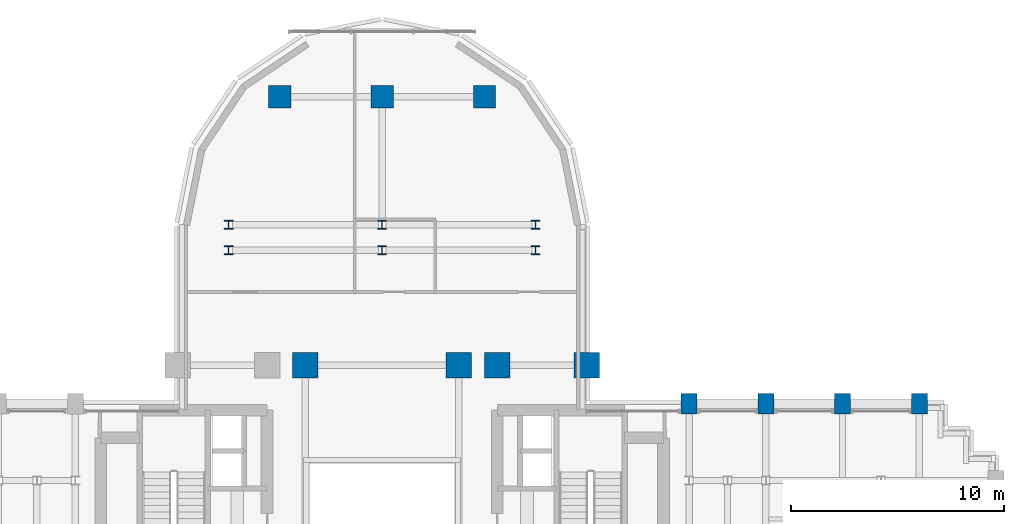
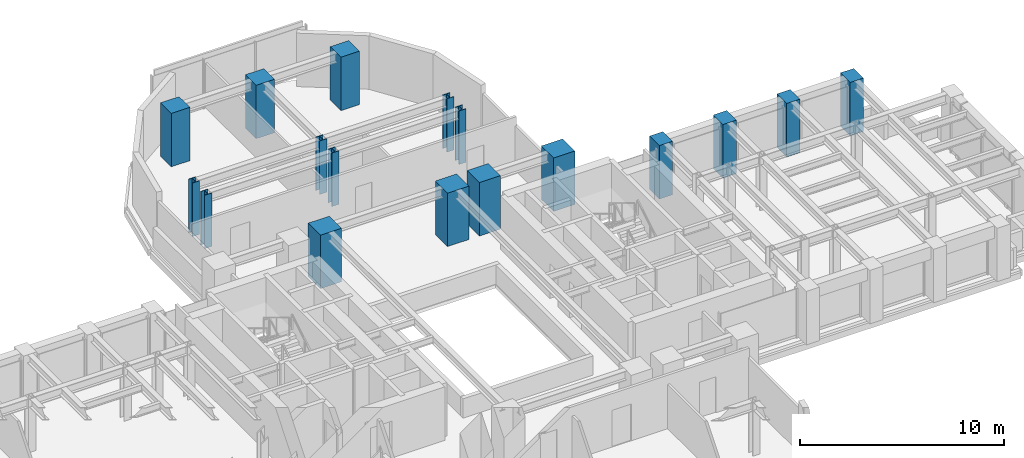
# One storey, part 2 of 16: 17 columns.
"""IFC4 building model written with IfcOpenShell, lengths in metres."""

from ifc_helpers import new_model, si_unit, direction, frame, origin, origin_2d, place, context, subcontext, project, spatial, rectangle, i_section, extrude, source, transform, mapped, material, material_profile, profile_set, type_object, element, save


model = new_model("IFC4")

# Units and contexts
model_context = context("Model", 3, precision=1e-05, world=origin(), true_north=direction((0.0, 1.0)))
body_context = subcontext(model_context, "Body", "Model", "MODEL_VIEW")
ifc_project = project(units=[si_unit("LENGTHUNIT", "METRE"), si_unit("AREAUNIT", "SQUARE_METRE"), si_unit("VOLUMEUNIT", "CUBIC_METRE"), si_unit("PLANEANGLEUNIT", "RADIAN"), si_unit("MASSUNIT", "GRAM", prefix="KILO")], contexts=[model_context])

# Site, building, storey
site_placement = place(None, origin())
site = spatial("IfcSite", under=ifc_project, at=site_placement, CompositionType="ELEMENT")
building_placement = place(site_placement, origin())
building = spatial("IfcBuilding", under=site, at=building_placement, Name="Keilestroom Media Tower", CompositionType="ELEMENT")
storey_placement = place(building_placement, frame((0.0, 0.0, 78.199951171875)))
storey = spatial("IfcBuildingStorey", under=building, at=storey_placement, Name="L20", CompositionType="ELEMENT", Elevation=78.199951171875)

# Columns
ifc_material_1 = material(Name="Precast concrete C40/50", Category="concrete")
ifc_material_profile_1 = material_profile(ifc_material_1, rectangle(XDim=0.75, YDim=0.949951171875, at=origin_2d()), Name="PC 950x750")
ifc_profile_set_1 = profile_set([ifc_material_profile_1], Name="Precast concrete C40/50")
column_type_1 = type_object("IfcColumnType", Name="Structural-Column-PC-950x750", PredefinedType="COLUMN", material=ifc_profile_set_1)
shared_shape_1 = source(origin(), body_context, "Body", "SweptSolid", [
    extrude(rectangle(XDim=0.75, YDim=0.949951171875, at=origin_2d()), origin(), (0.0, 0.0, 1.0), 3.199951171875),
])
for number, where, z_axis, x_axis, name in (
    (1, (14.39990234375, 7.199951171875, 0.0), (0.0, 0.0, 1.0), (1.0, 0.0, 0.0), "L20 Column PC-1 (+14.4,+7.2)"),
    (2, (18.0, 7.199951171875, 0.0), (0.0, 0.0, 1.0), (1.0, 0.0, 0.0), "L20 Column PC-1 (+18.0,+7.2)"),
    (3, (21.60009765625, 7.199951171875, 0.0), (0.0, 0.0, 1.0), (1.0, 0.0, 0.0), "L20 Column PC-1 (+21.6,+7.2)"),
    (4, (25.199951171875, 7.199951171875, 0.0), (0.0, 0.0, 1.0), (1.0, 0.0, 0.0), "L20 Column PC-1 (+25.2,+7.2)"),
):
    element("IfcColumn", number, at=place(storey_placement, frame(where, z_axis=z_axis, x_axis=x_axis)), inside=storey, type_object=column_type_1, Name=name, PredefinedType="COLUMN", context=body_context, shape_type="MappedRepresentation", body=[
        mapped(shared_shape_1, transform((0.0, 0.0, 0.0), x_axis=(1.0, 0.0, 0.0), y_axis=(0.0, 1.0, 0.0), z_axis=(0.0, 0.0, 1.0), scale=1.0)),
    ])
ifc_material_2 = material(Name="Steel S460", Category="steel")
ifc_material_profile_2 = material_profile(ifc_material_2, i_section(OverallWidth=0.404052734375, OverallDepth=0.406982421875, WebThickness=0.02197265625, FlangeThickness=0.035400390625, at=origin_2d()), Name="HD 400x347")
ifc_profile_set_2 = profile_set([ifc_material_profile_2], Name="Steel S460")
column_type_2 = type_object("IfcColumnType", Name="Structural-Column-HD-400x347", PredefinedType="COLUMN", material=ifc_profile_set_2)
shared_shape_2 = source(origin(), body_context, "Body", "SweptSolid", [
    extrude(i_section(OverallWidth=0.404052734375, OverallDepth=0.406982421875, WebThickness=0.02197265625, FlangeThickness=0.035400390625, at=origin_2d()), origin(), (0.0, 0.0, 1.0), 3.199951171875),
])
for number, where, z_axis, x_axis, name in (
    (5, (-7.199951171875, 14.39990234375, 0.0), (0.0, 0.0, 1.0), (1.0, 0.0, 0.0), "L20 Column SC-2 (-7.2,+14.4)"),
    (6, (-7.199951171875, 15.60009765625, 0.0), (0.0, 0.0, 1.0), (1.0, 0.0, 0.0), "L20 Column SC-2 (-7.2,+15.6)"),
    (7, (0.0, 14.39990234375, 0.0), (0.0, 0.0, 1.0), (1.0, 0.0, 0.0), "L20 Column SC-2 (+0.0,+14.4)"),
    (8, (0.0, 15.60009765625, 0.0), (0.0, 0.0, 1.0), (1.0, 0.0, 0.0), "L20 Column SC-2 (+0.0,+15.6)"),
    (9, (7.199951171875, 14.39990234375, 0.0), (0.0, 0.0, 1.0), (1.0, 0.0, 0.0), "L20 Column SC-2 (+7.2,+14.4)"),
    (10, (7.199951171875, 15.60009765625, 0.0), (0.0, 0.0, 1.0), (1.0, 0.0, 0.0), "L20 Column SC-2 (+7.2,+15.6)"),
):
    element("IfcColumn", number, at=place(storey_placement, frame(where, z_axis=z_axis, x_axis=x_axis)), inside=storey, type_object=column_type_2, Name=name, PredefinedType="COLUMN", context=body_context, shape_type="MappedRepresentation", body=[
        mapped(shared_shape_2, transform((0.0, 0.0, 0.0), x_axis=(1.0, 0.0, 0.0), y_axis=(0.0, 1.0, 0.0), z_axis=(0.0, 0.0, 1.0), scale=1.0)),
    ])
ifc_material_3 = material(Name="Concrete C70/85", Category="concrete")
ifc_material_profile_3 = material_profile(ifc_material_3, rectangle(XDim=1.199951171875, YDim=1.199951171875, at=origin_2d()), Name="RC 1200x1200")
ifc_profile_set_3 = profile_set([ifc_material_profile_3], Name="Concrete C70/85")
column_type_3 = type_object("IfcColumnType", Name="Structural-Column-RC-1200x1200", PredefinedType="COLUMN", material=ifc_profile_set_3)
shared_shape_3 = source(origin(), body_context, "Body", "SweptSolid", [
    extrude(rectangle(XDim=1.199951171875, YDim=1.199951171875, at=origin_2d()), origin(), (0.0, 0.0, 1.0), 3.199951171875),
])
for number, where, z_axis, x_axis, name in (
    (11, (-3.60009765625, 9.0, 0.0), (0.0, 0.0, 1.0), (1.0, 0.0, 0.0), "L20 Column MC-2 (-3.6,+9.0)"),
    (12, (3.60009765625, 9.0, 0.0), (0.0, 0.0, 1.0), (1.0, 0.0, 0.0), "L20 Column MC-2 (+3.6,+9.0)"),
    (13, (5.39990234375, 9.0, 0.0), (0.0, 0.0, 1.0), (1.0, 0.0, 0.0), "L20 Column MC-2 (+5.4,+9.0)"),
    (14, (9.60009765625, 9.0, 0.0), (0.0, 0.0, 1.0), (1.0, 0.0, 0.0), "L20 Column MC-2 (+9.6,+9.0)"),
):
    element("IfcColumn", number, at=place(storey_placement, frame(where, z_axis=z_axis, x_axis=x_axis)), inside=storey, type_object=column_type_3, Name=name, PredefinedType="COLUMN", context=body_context, shape_type="MappedRepresentation", body=[
        mapped(shared_shape_3, transform((0.0, 0.0, 0.0), x_axis=(1.0, 0.0, 0.0), y_axis=(0.0, 1.0, 0.0), z_axis=(0.0, 0.0, 1.0), scale=1.0)),
    ])
ifc_material_4 = material(Name="Concrete C55/67", Category="concrete")
ifc_material_profile_4 = material_profile(ifc_material_4, rectangle(XDim=1.050048828125, YDim=1.050048828125, at=origin_2d()), Name="RC 1050x1050")
ifc_profile_set_4 = profile_set([ifc_material_profile_4], Name="Concrete C55/67")
column_type_4 = type_object("IfcColumnType", Name="Structural-Column-RC-1050x1050", PredefinedType="COLUMN", material=ifc_profile_set_4)
shared_shape_4 = source(origin(), body_context, "Body", "SweptSolid", [
    extrude(rectangle(XDim=1.050048828125, YDim=1.050048828125, at=origin_2d()), origin(), (0.0, 0.0, 1.0), 3.199951171875),
])
for number, where, z_axis, x_axis, name in (
    (15, (-4.800048828125, 21.60009765625, 0.0), (0.0, 0.0, 1.0), (1.0, 0.0, 0.0), "L20 Column MC-3 (-4.8,+21.6)"),
    (16, (0.0, 21.60009765625, 0.0), (0.0, 0.0, 1.0), (1.0, 0.0, 0.0), "L20 Column MC-3 (+0.0,+21.6)"),
    (17, (4.800048828125, 21.60009765625, 0.0), (0.0, 0.0, 1.0), (1.0, 0.0, 0.0), "L20 Column MC-3 (+4.8,+21.6)"),
):
    element("IfcColumn", number, at=place(storey_placement, frame(where, z_axis=z_axis, x_axis=x_axis)), inside=storey, type_object=column_type_4, Name=name, PredefinedType="COLUMN", context=body_context, shape_type="MappedRepresentation", body=[
        mapped(shared_shape_4, transform((0.0, 0.0, 0.0), x_axis=(1.0, 0.0, 0.0), y_axis=(0.0, 1.0, 0.0), z_axis=(0.0, 0.0, 1.0), scale=1.0)),
    ])

save(model, "model.ifc")
